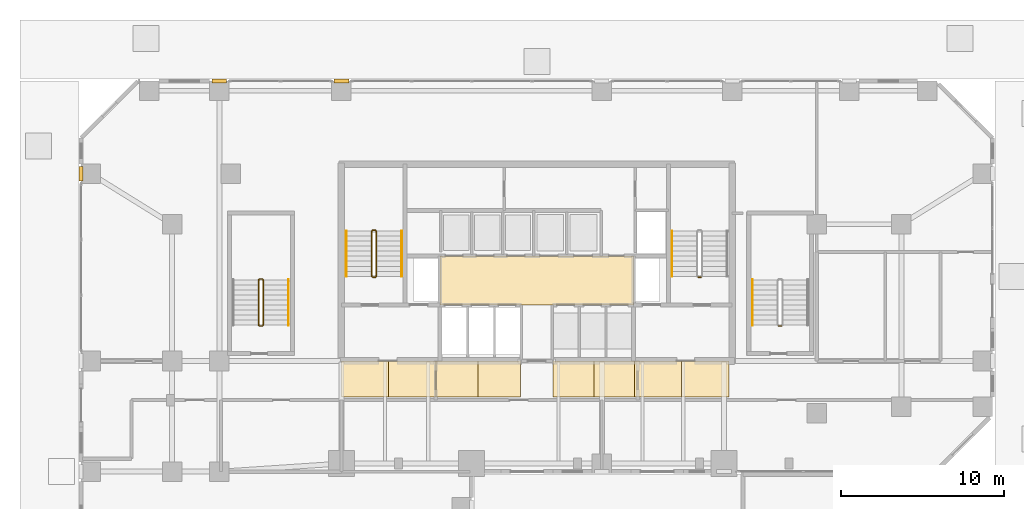
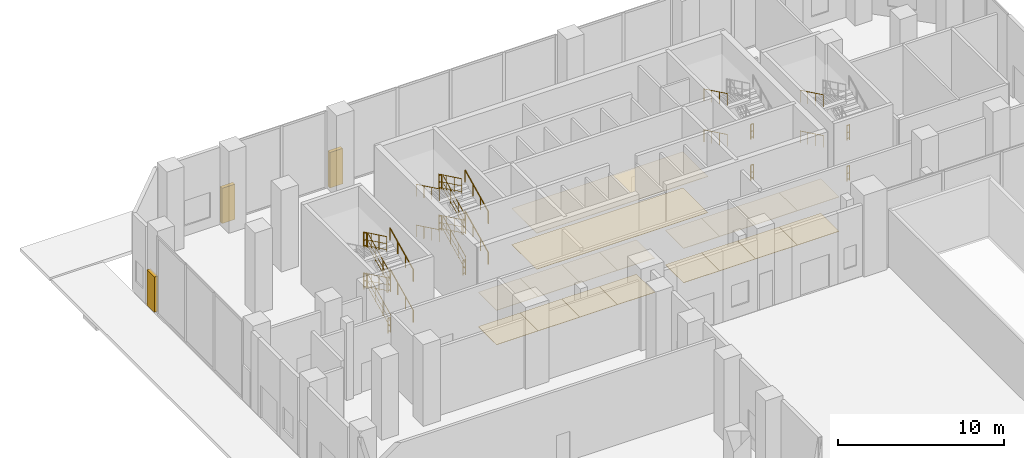
# One storey, part 23 of 26: 30 railings, 21 coverings.
"""IFC4 building model written with IfcOpenShell, lengths in metres."""

from ifc_helpers import new_model, si_unit, direction, frame, origin, origin_2d, place, context, subcontext, project, spatial, polyline, rectangle, circle, outline, extrude, material, layer, layer_set, type_object, element, save


model = new_model("IFC4")

# Units and contexts
model_context = context("Model", 3, precision=1e-05, world=origin(), true_north=direction((0.0, 1.0)))
body_context = subcontext(model_context, "Body", "Model", "MODEL_VIEW")
ifc_project = project(units=[si_unit("LENGTHUNIT", "METRE"), si_unit("AREAUNIT", "SQUARE_METRE"), si_unit("VOLUMEUNIT", "CUBIC_METRE"), si_unit("PLANEANGLEUNIT", "RADIAN"), si_unit("MASSUNIT", "GRAM", prefix="KILO")], contexts=[model_context])

# Site, building, storey
site_placement = place(None, origin())
site = spatial("IfcSite", under=ifc_project, at=site_placement, CompositionType="ELEMENT")
building_placement = place(site_placement, origin())
building = spatial("IfcBuilding", under=site, at=building_placement, Name="Catumbela Crestline Tower", CompositionType="ELEMENT")
storey_placement = place(building_placement, origin())
storey = spatial("IfcBuildingStorey", under=building, at=storey_placement, Name="L00", CompositionType="ELEMENT", Elevation=0.0)

# Coverings
ifc_material_1 = material(Name="Mineral-fibre acoustic ceiling")
ifc_layer_1 = layer(ifc_material_1, 0.03, Name="Mineral-fibre acoustic ceiling")
ifc_layer_set_1 = layer_set([ifc_layer_1], Name="Mineral-fibre acoustic ceiling")
covering_type_1 = type_object("IfcCoveringType", Name="CC-AC", PredefinedType="CEILING", material=ifc_layer_set_1)
covering_1_placement = place(storey_placement, frame((0.0, 0.0, 2.65)))
element("IfcCovering", 1, at=covering_1_placement, inside=storey, type_object=covering_type_1, Name="L00 Lift Lobby Acoustic Ceiling", PredefinedType="CEILING", context=body_context, shape_type="SweptSolid", body=[
    extrude(outline(polyline([(22.05, 34.25), (33.95, 34.25), (33.95, 37.25), (22.05, 37.25), (22.05, 34.25)])), origin(), (0.0, 0.0, 1.0), 0.03),
])
covering_2_placement = place(storey_placement, frame((0.0, 0.0, 2.52)))
element("IfcCovering", 2, at=covering_2_placement, inside=storey, type_object=covering_type_1, Name="L00 Corridor Acoustic Ceiling Bay 1", PredefinedType="CEILING", context=body_context, shape_type="SweptSolid", body=[
    extrude(outline(polyline([(16.0, 28.6), (18.9, 28.6), (18.9, 30.8), (16.0, 30.8), (16.0, 28.6)])), origin(), (0.0, 0.0, 1.0), 0.03),
])
covering_3_placement = place(storey_placement, frame((0.0, 0.0, 2.52)))
element("IfcCovering", 3, at=covering_3_placement, inside=storey, type_object=covering_type_1, Name="L00 Corridor Acoustic Ceiling Bay 2", PredefinedType="CEILING", context=body_context, shape_type="SweptSolid", body=[
    extrude(outline(polyline([(18.9, 28.6), (21.8, 28.6), (21.8, 30.8), (18.9, 30.8), (18.9, 28.6)])), origin(), (0.0, 0.0, 1.0), 0.03),
])
covering_4_placement = place(storey_placement, frame((0.0, 0.0, 2.52)))
element("IfcCovering", 4, at=covering_4_placement, inside=storey, type_object=covering_type_1, Name="L00 Corridor Acoustic Ceiling Bay 3", PredefinedType="CEILING", context=body_context, shape_type="SweptSolid", body=[
    extrude(outline(polyline([(21.8, 28.6), (24.4, 28.6), (24.4, 30.8), (21.8, 30.8), (21.8, 28.6)])), origin(), (0.0, 0.0, 1.0), 0.03),
])
covering_5_placement = place(storey_placement, frame((0.0, 0.0, 2.52)))
element("IfcCovering", 5, at=covering_5_placement, inside=storey, type_object=covering_type_1, Name="L00 Corridor Acoustic Ceiling Bay 4", PredefinedType="CEILING", context=body_context, shape_type="SweptSolid", body=[
    extrude(outline(polyline([(24.4, 28.6), (27.0, 28.6), (27.0, 30.8), (24.4, 30.8), (24.4, 28.6)])), origin(), (0.0, 0.0, 1.0), 0.03),
])
covering_6_placement = place(storey_placement, frame((0.0, 0.0, 2.52)))
element("IfcCovering", 6, at=covering_6_placement, inside=storey, type_object=covering_type_1, Name="L00 Corridor Acoustic Ceiling Bay 5", PredefinedType="CEILING", context=body_context, shape_type="SweptSolid", body=[
    extrude(outline(polyline([(29.0, 28.6), (31.5, 28.6), (31.5, 30.8), (29.0, 30.8), (29.0, 28.6)])), origin(), (0.0, 0.0, 1.0), 0.03),
])
covering_7_placement = place(storey_placement, frame((0.0, 0.0, 2.52)))
element("IfcCovering", 7, at=covering_7_placement, inside=storey, type_object=covering_type_1, Name="L00 Corridor Acoustic Ceiling Bay 6", PredefinedType="CEILING", context=body_context, shape_type="SweptSolid", body=[
    extrude(outline(polyline([(31.5, 28.6), (34.0, 28.6), (34.0, 30.8), (31.5, 30.8), (31.5, 28.6)])), origin(), (0.0, 0.0, 1.0), 0.03),
])
covering_8_placement = place(storey_placement, frame((0.0, 0.0, 2.52)))
element("IfcCovering", 8, at=covering_8_placement, inside=storey, type_object=covering_type_1, Name="L00 Corridor Acoustic Ceiling Bay 7", PredefinedType="CEILING", context=body_context, shape_type="SweptSolid", body=[
    extrude(outline(polyline([(34.0, 28.6), (36.9, 28.6), (36.9, 30.8), (34.0, 30.8), (34.0, 28.6)])), origin(), (0.0, 0.0, 1.0), 0.03),
])
covering_9_placement = place(storey_placement, frame((0.0, 0.0, 2.52)))
element("IfcCovering", 9, at=covering_9_placement, inside=storey, type_object=covering_type_1, Name="L00 Corridor Acoustic Ceiling Bay 8", PredefinedType="CEILING", context=body_context, shape_type="SweptSolid", body=[
    extrude(outline(polyline([(36.9, 28.6), (39.8, 28.6), (39.8, 30.8), (36.9, 30.8), (36.9, 28.6)])), origin(), (0.0, 0.0, 1.0), 0.03),
])
ifc_material_2 = material(Name="Extruded terracotta ceramic", Category="masonry")
ifc_layer_2 = layer(ifc_material_2, 0.08, Name="Extruded terracotta ceramic")
ifc_layer_set_2 = layer_set([ifc_layer_2], Name="Extruded terracotta ceramic")
covering_type_2 = type_object("IfcCoveringType", Name="CC-TER", PredefinedType="CLADDING", material=ifc_layer_set_2)
for number, where, z_axis, x_axis, name in (
    (10, (8.5, 48.0, 0.0), (0.0, 0.0, 1.0), (-1.0, 0.0, 0.0), "L00 Fluted Terracotta Column Cladding 11"),
    (11, (16.0, 48.0, 0.0), (0.0, 0.0, 1.0), (-1.0, 0.0, 0.0), "L00 Fluted Terracotta Column Cladding 12"),
    (12, (0.0, 42.3, 0.0), (0.0, 0.0, 1.0), (0.0, -1.0, 0.0), "L00 Fluted Terracotta Column Cladding 18"),
):
    element("IfcCovering", number, at=place(storey_placement, frame(where, z_axis=z_axis, x_axis=x_axis)), inside=storey, type_object=covering_type_2, Name=name, PredefinedType="CLADDING", context=body_context, shape_type="SweptSolid", body=[
        extrude(rectangle(XDim=0.9, YDim=0.24, at=origin_2d()), origin(), (0.0, 0.0, 1.0), 2.6),
    ])
ifc_material_3 = material(Name="Angolan grey-ochre granite", Category="masonry")
ifc_layer_3 = layer(ifc_material_3, 0.025, Name="Angolan grey-ochre granite")
ifc_layer_set_3 = layer_set([ifc_layer_3], Name="Angolan grey-ochre granite")
covering_type_3 = type_object("IfcCoveringType", Name="CF-GR", PredefinedType="FLOORING", material=ifc_layer_set_3)
covering_10_placement = place(storey_placement, origin())
element("IfcCovering", 13, at=covering_10_placement, inside=storey, type_object=covering_type_3, Name="L00 Corridor Granite Flooring Bay 1", PredefinedType="FLOORING", context=body_context, shape_type="SweptSolid", body=[
    extrude(outline(polyline([(16.0, 28.6), (18.9, 28.6), (18.9, 30.8), (16.0, 30.8), (16.0, 28.6)])), origin(), (0.0, 0.0, 1.0), 0.025),
])
covering_11_placement = place(storey_placement, origin())
element("IfcCovering", 14, at=covering_11_placement, inside=storey, type_object=covering_type_3, Name="L00 Corridor Granite Flooring Bay 2", PredefinedType="FLOORING", context=body_context, shape_type="SweptSolid", body=[
    extrude(outline(polyline([(18.9, 28.6), (21.8, 28.6), (21.8, 30.8), (18.9, 30.8), (18.9, 28.6)])), origin(), (0.0, 0.0, 1.0), 0.025),
])
covering_12_placement = place(storey_placement, origin())
element("IfcCovering", 15, at=covering_12_placement, inside=storey, type_object=covering_type_3, Name="L00 Corridor Granite Flooring Bay 3", PredefinedType="FLOORING", context=body_context, shape_type="SweptSolid", body=[
    extrude(outline(polyline([(21.8, 28.6), (24.4, 28.6), (24.4, 30.8), (21.8, 30.8), (21.8, 28.6)])), origin(), (0.0, 0.0, 1.0), 0.025),
])
covering_13_placement = place(storey_placement, origin())
element("IfcCovering", 16, at=covering_13_placement, inside=storey, type_object=covering_type_3, Name="L00 Corridor Granite Flooring Bay 4", PredefinedType="FLOORING", context=body_context, shape_type="SweptSolid", body=[
    extrude(outline(polyline([(24.4, 28.6), (27.0, 28.6), (27.0, 30.8), (24.4, 30.8), (24.4, 28.6)])), origin(), (0.0, 0.0, 1.0), 0.025),
])
covering_14_placement = place(storey_placement, origin())
element("IfcCovering", 17, at=covering_14_placement, inside=storey, type_object=covering_type_3, Name="L00 Corridor Granite Flooring Bay 5", PredefinedType="FLOORING", context=body_context, shape_type="SweptSolid", body=[
    extrude(outline(polyline([(29.0, 28.6), (31.5, 28.6), (31.5, 30.8), (29.0, 30.8), (29.0, 28.6)])), origin(), (0.0, 0.0, 1.0), 0.025),
])
covering_15_placement = place(storey_placement, origin())
element("IfcCovering", 18, at=covering_15_placement, inside=storey, type_object=covering_type_3, Name="L00 Corridor Granite Flooring Bay 6", PredefinedType="FLOORING", context=body_context, shape_type="SweptSolid", body=[
    extrude(outline(polyline([(31.5, 28.6), (34.0, 28.6), (34.0, 30.8), (31.5, 30.8), (31.5, 28.6)])), origin(), (0.0, 0.0, 1.0), 0.025),
])
covering_16_placement = place(storey_placement, origin())
element("IfcCovering", 19, at=covering_16_placement, inside=storey, type_object=covering_type_3, Name="L00 Corridor Granite Flooring Bay 7", PredefinedType="FLOORING", context=body_context, shape_type="SweptSolid", body=[
    extrude(outline(polyline([(34.0, 28.6), (36.9, 28.6), (36.9, 30.8), (34.0, 30.8), (34.0, 28.6)])), origin(), (0.0, 0.0, 1.0), 0.025),
])
covering_17_placement = place(storey_placement, origin())
element("IfcCovering", 20, at=covering_17_placement, inside=storey, type_object=covering_type_3, Name="L00 Corridor Granite Flooring Bay 8", PredefinedType="FLOORING", context=body_context, shape_type="SweptSolid", body=[
    extrude(outline(polyline([(36.9, 28.6), (39.8, 28.6), (39.8, 30.8), (36.9, 30.8), (36.9, 28.6)])), origin(), (0.0, 0.0, 1.0), 0.025),
])
covering_18_placement = place(storey_placement, origin())
element("IfcCovering", 21, at=covering_18_placement, inside=storey, type_object=covering_type_3, Name="L00 Lift Lobby Granite Flooring", PredefinedType="FLOORING", context=body_context, shape_type="SweptSolid", body=[
    extrude(outline(polyline([(22.05, 34.25), (33.95, 34.25), (33.95, 37.25), (22.05, 37.25), (22.05, 34.25)])), origin(), (0.0, 0.0, 1.0), 0.025),
])

# Railings
ifc_material_4 = material(Name="Stainless steel EN 1.4401", Category="steel")
railing_type_1 = type_object("IfcRailingType", Name="RG-1100", PredefinedType="GUARDRAIL", material=ifc_material_4)
railing_1_placement = place(storey_placement, frame((18.14, 36.0, 0.15)))
element("IfcRailing", 22, at=railing_1_placement, inside=storey, type_object=railing_type_1, Name="L00 ST-01 stair guard 1", PredefinedType="GUARDRAIL", context=body_context, shape_type="SweptSolid", body=[
    extrude(circle(Radius=0.024, at=origin_2d()), frame((0.0, 0.0, 1.076), z_axis=(0.0, 0.900159251416, 0.435560928104), x_axis=(-1.0, 0.0, 0.0)), (0.0, 0.0, 1.0), 3.0995),
    extrude(circle(Radius=0.0156, at=origin_2d()), frame((0.0, 0.0, 0.55), z_axis=(0.0, 0.900159251416, 0.435560928104), x_axis=(-1.0, 0.0, 0.0)), (0.0, 0.0, 1.0), 3.0995),
    extrude(circle(Radius=0.0156, at=origin_2d()), frame((0.0, 0.0, 0.12), z_axis=(0.0, 0.900159251416, 0.435560928104), x_axis=(-1.0, 0.0, 0.0)), (0.0, 0.0, 1.0), 3.0995),
    extrude(circle(Radius=0.021, at=origin_2d()), origin(), (0.0, 0.0, 1.0), 1.052),
    extrude(circle(Radius=0.021, at=origin_2d()), frame((0.0, 0.93, 0.45)), (0.0, 0.0, 1.0), 1.052),
    extrude(circle(Radius=0.021, at=origin_2d()), frame((0.0, 1.86, 0.9)), (0.0, 0.0, 1.0), 1.052),
    extrude(circle(Radius=0.021, at=origin_2d()), frame((0.0, 2.79, 1.35)), (0.0, 0.0, 1.0), 1.052),
])
railing_2_placement = place(storey_placement, frame((18.09, 38.84, 1.5)))
element("IfcRailing", 23, at=railing_2_placement, inside=storey, type_object=railing_type_1, Name="L00 ST-01 stair guard 2", PredefinedType="GUARDRAIL", context=body_context, shape_type="SweptSolid", body=[
    extrude(circle(Radius=0.024, at=origin_2d()), frame((0.0, 0.0, 1.076), z_axis=(-1.0, 0.0, 0.0), x_axis=(0.0, -1.0, 0.0)), (0.0, 0.0, 1.0), 0.18),
    extrude(circle(Radius=0.0156, at=origin_2d()), frame((0.0, 0.0, 0.55), z_axis=(-1.0, 0.0, 0.0), x_axis=(0.0, -1.0, 0.0)), (0.0, 0.0, 1.0), 0.18),
    extrude(circle(Radius=0.0156, at=origin_2d()), frame((0.0, 0.0, 0.12), z_axis=(-1.0, 0.0, 0.0), x_axis=(0.0, -1.0, 0.0)), (0.0, 0.0, 1.0), 0.18),
    extrude(circle(Radius=0.021, at=origin_2d()), origin(), (0.0, 0.0, 1.0), 1.052),
    extrude(circle(Radius=0.021, at=origin_2d()), frame((-0.18, 0.0, 0.0)), (0.0, 0.0, 1.0), 1.052),
])
railing_3_placement = place(storey_placement, frame((17.86, 38.79, 1.65)))
element("IfcRailing", 24, at=railing_3_placement, inside=storey, type_object=railing_type_1, Name="L00 ST-01 stair guard 3", PredefinedType="GUARDRAIL", context=body_context, shape_type="SweptSolid", body=[
    extrude(circle(Radius=0.024, at=origin_2d()), frame((0.0, 0.0, 1.076), z_axis=(0.0, -0.900159251416, 0.435560928104), x_axis=(1.0, 0.0, 0.0)), (0.0, 0.0, 1.0), 3.0995),
    extrude(circle(Radius=0.0156, at=origin_2d()), frame((0.0, 0.0, 0.55), z_axis=(0.0, -0.900159251416, 0.435560928104), x_axis=(1.0, 0.0, 0.0)), (0.0, 0.0, 1.0), 3.0995),
    extrude(circle(Radius=0.0156, at=origin_2d()), frame((0.0, 0.0, 0.12), z_axis=(0.0, -0.900159251416, 0.435560928104), x_axis=(1.0, 0.0, 0.0)), (0.0, 0.0, 1.0), 3.0995),
    extrude(circle(Radius=0.021, at=origin_2d()), origin(), (0.0, 0.0, 1.0), 1.052),
    extrude(circle(Radius=0.021, at=origin_2d()), frame((0.0, -0.93, 0.45)), (0.0, 0.0, 1.0), 1.052),
    extrude(circle(Radius=0.021, at=origin_2d()), frame((0.0, -1.86, 0.9)), (0.0, 0.0, 1.0), 1.052),
    extrude(circle(Radius=0.021, at=origin_2d()), frame((0.0, -2.79, 1.35)), (0.0, 0.0, 1.0), 1.052),
])
railing_4_placement = place(storey_placement, frame((18.09, 35.95, 3.0)))
element("IfcRailing", 25, at=railing_4_placement, inside=storey, type_object=railing_type_1, Name="L00 ST-01 stair guard 4", PredefinedType="GUARDRAIL", context=body_context, shape_type="SweptSolid", body=[
    extrude(circle(Radius=0.024, at=origin_2d()), frame((0.0, 0.0, 1.076), z_axis=(-1.0, 0.0, 0.0), x_axis=(0.0, -1.0, 0.0)), (0.0, 0.0, 1.0), 0.18),
    extrude(circle(Radius=0.0156, at=origin_2d()), frame((0.0, 0.0, 0.55), z_axis=(-1.0, 0.0, 0.0), x_axis=(0.0, -1.0, 0.0)), (0.0, 0.0, 1.0), 0.18),
    extrude(circle(Radius=0.0156, at=origin_2d()), frame((0.0, 0.0, 0.12), z_axis=(-1.0, 0.0, 0.0), x_axis=(0.0, -1.0, 0.0)), (0.0, 0.0, 1.0), 0.18),
    extrude(circle(Radius=0.021, at=origin_2d()), origin(), (0.0, 0.0, 1.0), 1.052),
    extrude(circle(Radius=0.021, at=origin_2d()), frame((-0.18, 0.0, 0.0)), (0.0, 0.0, 1.0), 1.052),
])
railing_5_placement = place(storey_placement, frame((18.14, 36.0, 3.15)))
element("IfcRailing", 26, at=railing_5_placement, inside=storey, type_object=railing_type_1, Name="L00 ST-01 stair guard 5", PredefinedType="GUARDRAIL", context=body_context, shape_type="SweptSolid", body=[
    extrude(circle(Radius=0.024, at=origin_2d()), frame((0.0, 0.0, 1.076), z_axis=(0.0, 0.900159251416, 0.435560928104), x_axis=(-1.0, 0.0, 0.0)), (0.0, 0.0, 1.0), 3.0995),
    extrude(circle(Radius=0.0156, at=origin_2d()), frame((0.0, 0.0, 0.55), z_axis=(0.0, 0.900159251416, 0.435560928104), x_axis=(-1.0, 0.0, 0.0)), (0.0, 0.0, 1.0), 3.0995),
    extrude(circle(Radius=0.0156, at=origin_2d()), frame((0.0, 0.0, 0.12), z_axis=(0.0, 0.900159251416, 0.435560928104), x_axis=(-1.0, 0.0, 0.0)), (0.0, 0.0, 1.0), 3.0995),
    extrude(circle(Radius=0.021, at=origin_2d()), origin(), (0.0, 0.0, 1.0), 1.052),
    extrude(circle(Radius=0.021, at=origin_2d()), frame((0.0, 0.93, 0.45)), (0.0, 0.0, 1.0), 1.052),
    extrude(circle(Radius=0.021, at=origin_2d()), frame((0.0, 1.86, 0.9)), (0.0, 0.0, 1.0), 1.052),
    extrude(circle(Radius=0.021, at=origin_2d()), frame((0.0, 2.79, 1.35)), (0.0, 0.0, 1.0), 1.052),
])
railing_6_placement = place(storey_placement, frame((18.09, 38.84, 4.5)))
element("IfcRailing", 27, at=railing_6_placement, inside=storey, type_object=railing_type_1, Name="L00 ST-01 stair guard 6", PredefinedType="GUARDRAIL", context=body_context, shape_type="SweptSolid", body=[
    extrude(circle(Radius=0.024, at=origin_2d()), frame((0.0, 0.0, 1.076), z_axis=(-1.0, 0.0, 0.0), x_axis=(0.0, -1.0, 0.0)), (0.0, 0.0, 1.0), 0.18),
    extrude(circle(Radius=0.0156, at=origin_2d()), frame((0.0, 0.0, 0.55), z_axis=(-1.0, 0.0, 0.0), x_axis=(0.0, -1.0, 0.0)), (0.0, 0.0, 1.0), 0.18),
    extrude(circle(Radius=0.0156, at=origin_2d()), frame((0.0, 0.0, 0.12), z_axis=(-1.0, 0.0, 0.0), x_axis=(0.0, -1.0, 0.0)), (0.0, 0.0, 1.0), 0.18),
    extrude(circle(Radius=0.021, at=origin_2d()), origin(), (0.0, 0.0, 1.0), 1.052),
    extrude(circle(Radius=0.021, at=origin_2d()), frame((-0.18, 0.0, 0.0)), (0.0, 0.0, 1.0), 1.052),
])
railing_7_placement = place(storey_placement, frame((17.86, 38.79, 4.65)))
element("IfcRailing", 28, at=railing_7_placement, inside=storey, type_object=railing_type_1, Name="L00 ST-01 stair guard 7", PredefinedType="GUARDRAIL", context=body_context, shape_type="SweptSolid", body=[
    extrude(circle(Radius=0.024, at=origin_2d()), frame((0.0, 0.0, 1.076), z_axis=(0.0, -0.900159251416, 0.435560928104), x_axis=(1.0, 0.0, 0.0)), (0.0, 0.0, 1.0), 3.0995),
    extrude(circle(Radius=0.0156, at=origin_2d()), frame((0.0, 0.0, 0.55), z_axis=(0.0, -0.900159251416, 0.435560928104), x_axis=(1.0, 0.0, 0.0)), (0.0, 0.0, 1.0), 3.0995),
    extrude(circle(Radius=0.0156, at=origin_2d()), frame((0.0, 0.0, 0.12), z_axis=(0.0, -0.900159251416, 0.435560928104), x_axis=(1.0, 0.0, 0.0)), (0.0, 0.0, 1.0), 3.0995),
    extrude(circle(Radius=0.021, at=origin_2d()), origin(), (0.0, 0.0, 1.0), 1.052),
    extrude(circle(Radius=0.021, at=origin_2d()), frame((0.0, -0.93, 0.45)), (0.0, 0.0, 1.0), 1.052),
    extrude(circle(Radius=0.021, at=origin_2d()), frame((0.0, -1.86, 0.9)), (0.0, 0.0, 1.0), 1.052),
    extrude(circle(Radius=0.021, at=origin_2d()), frame((0.0, -2.79, 1.35)), (0.0, 0.0, 1.0), 1.052),
])
for number, where, name in (
    (29, (18.09, 35.95, 0.0), "L00 ST-01 stair guard 8"),
    (30, (38.09, 35.95, 3.0), "L00 ST-02 stair guard 4"),
    (31, (38.09, 35.95, 0.0), "L00 ST-02 stair guard 8"),
):
    element("IfcRailing", number, at=place(storey_placement, frame(where)), inside=storey, type_object=railing_type_1, Name=name, PredefinedType="GUARDRAIL", context=body_context, shape_type="SweptSolid", body=[
        extrude(circle(Radius=0.024, at=origin_2d()), frame((0.0, 0.0, 1.076), z_axis=(-1.0, 0.0, 0.0), x_axis=(0.0, -1.0, 0.0)), (0.0, 0.0, 1.0), 0.18),
        extrude(circle(Radius=0.0156, at=origin_2d()), frame((0.0, 0.0, 0.55), z_axis=(-1.0, 0.0, 0.0), x_axis=(0.0, -1.0, 0.0)), (0.0, 0.0, 1.0), 0.18),
        extrude(circle(Radius=0.0156, at=origin_2d()), frame((0.0, 0.0, 0.12), z_axis=(-1.0, 0.0, 0.0), x_axis=(0.0, -1.0, 0.0)), (0.0, 0.0, 1.0), 0.18),
        extrude(circle(Radius=0.021, at=origin_2d()), origin(), (0.0, 0.0, 1.0), 1.052),
        extrude(circle(Radius=0.021, at=origin_2d()), frame((-0.18, 0.0, 0.0)), (0.0, 0.0, 1.0), 1.052),
    ])
railing_8_placement = place(storey_placement, frame((11.19, 33.0, 0.15)))
element("IfcRailing", 32, at=railing_8_placement, inside=storey, type_object=railing_type_1, Name="L00 ST-03 stair guard 1", PredefinedType="GUARDRAIL", context=body_context, shape_type="SweptSolid", body=[
    extrude(circle(Radius=0.024, at=origin_2d()), frame((0.0, 0.0, 1.076), z_axis=(0.0, 0.900159251416, 0.435560928104), x_axis=(-1.0, 0.0, 0.0)), (0.0, 0.0, 1.0), 3.0995),
    extrude(circle(Radius=0.0156, at=origin_2d()), frame((0.0, 0.0, 0.55), z_axis=(0.0, 0.900159251416, 0.435560928104), x_axis=(-1.0, 0.0, 0.0)), (0.0, 0.0, 1.0), 3.0995),
    extrude(circle(Radius=0.0156, at=origin_2d()), frame((0.0, 0.0, 0.12), z_axis=(0.0, 0.900159251416, 0.435560928104), x_axis=(-1.0, 0.0, 0.0)), (0.0, 0.0, 1.0), 3.0995),
    extrude(circle(Radius=0.021, at=origin_2d()), origin(), (0.0, 0.0, 1.0), 1.052),
    extrude(circle(Radius=0.021, at=origin_2d()), frame((0.0, 0.93, 0.45)), (0.0, 0.0, 1.0), 1.052),
    extrude(circle(Radius=0.021, at=origin_2d()), frame((0.0, 1.86, 0.9)), (0.0, 0.0, 1.0), 1.052),
    extrude(circle(Radius=0.021, at=origin_2d()), frame((0.0, 2.79, 1.35)), (0.0, 0.0, 1.0), 1.052),
])
railing_9_placement = place(storey_placement, frame((11.14, 35.84, 1.5)))
element("IfcRailing", 33, at=railing_9_placement, inside=storey, type_object=railing_type_1, Name="L00 ST-03 stair guard 2", PredefinedType="GUARDRAIL", context=body_context, shape_type="SweptSolid", body=[
    extrude(circle(Radius=0.024, at=origin_2d()), frame((0.0, 0.0, 1.076), z_axis=(-1.0, 0.0, 0.0), x_axis=(0.0, -1.0, 0.0)), (0.0, 0.0, 1.0), 0.18),
    extrude(circle(Radius=0.0156, at=origin_2d()), frame((0.0, 0.0, 0.55), z_axis=(-1.0, 0.0, 0.0), x_axis=(0.0, -1.0, 0.0)), (0.0, 0.0, 1.0), 0.18),
    extrude(circle(Radius=0.0156, at=origin_2d()), frame((0.0, 0.0, 0.12), z_axis=(-1.0, 0.0, 0.0), x_axis=(0.0, -1.0, 0.0)), (0.0, 0.0, 1.0), 0.18),
    extrude(circle(Radius=0.021, at=origin_2d()), origin(), (0.0, 0.0, 1.0), 1.052),
    extrude(circle(Radius=0.021, at=origin_2d()), frame((-0.18, 0.0, 0.0)), (0.0, 0.0, 1.0), 1.052),
])
railing_10_placement = place(storey_placement, frame((10.91, 35.79, 1.65)))
element("IfcRailing", 34, at=railing_10_placement, inside=storey, type_object=railing_type_1, Name="L00 ST-03 stair guard 3", PredefinedType="GUARDRAIL", context=body_context, shape_type="SweptSolid", body=[
    extrude(circle(Radius=0.024, at=origin_2d()), frame((0.0, 0.0, 1.076), z_axis=(0.0, -0.900159251416, 0.435560928104), x_axis=(1.0, 0.0, 0.0)), (0.0, 0.0, 1.0), 3.0995),
    extrude(circle(Radius=0.0156, at=origin_2d()), frame((0.0, 0.0, 0.55), z_axis=(0.0, -0.900159251416, 0.435560928104), x_axis=(1.0, 0.0, 0.0)), (0.0, 0.0, 1.0), 3.0995),
    extrude(circle(Radius=0.0156, at=origin_2d()), frame((0.0, 0.0, 0.12), z_axis=(0.0, -0.900159251416, 0.435560928104), x_axis=(1.0, 0.0, 0.0)), (0.0, 0.0, 1.0), 3.0995),
    extrude(circle(Radius=0.021, at=origin_2d()), origin(), (0.0, 0.0, 1.0), 1.052),
    extrude(circle(Radius=0.021, at=origin_2d()), frame((0.0, -0.93, 0.45)), (0.0, 0.0, 1.0), 1.052),
    extrude(circle(Radius=0.021, at=origin_2d()), frame((0.0, -1.86, 0.9)), (0.0, 0.0, 1.0), 1.052),
    extrude(circle(Radius=0.021, at=origin_2d()), frame((0.0, -2.79, 1.35)), (0.0, 0.0, 1.0), 1.052),
])
railing_11_placement = place(storey_placement, frame((11.14, 32.95, 3.0)))
element("IfcRailing", 35, at=railing_11_placement, inside=storey, type_object=railing_type_1, Name="L00 ST-03 stair guard 4", PredefinedType="GUARDRAIL", context=body_context, shape_type="SweptSolid", body=[
    extrude(circle(Radius=0.024, at=origin_2d()), frame((0.0, 0.0, 1.076), z_axis=(-1.0, 0.0, 0.0), x_axis=(0.0, -1.0, 0.0)), (0.0, 0.0, 1.0), 0.18),
    extrude(circle(Radius=0.0156, at=origin_2d()), frame((0.0, 0.0, 0.55), z_axis=(-1.0, 0.0, 0.0), x_axis=(0.0, -1.0, 0.0)), (0.0, 0.0, 1.0), 0.18),
    extrude(circle(Radius=0.0156, at=origin_2d()), frame((0.0, 0.0, 0.12), z_axis=(-1.0, 0.0, 0.0), x_axis=(0.0, -1.0, 0.0)), (0.0, 0.0, 1.0), 0.18),
    extrude(circle(Radius=0.021, at=origin_2d()), origin(), (0.0, 0.0, 1.0), 1.052),
    extrude(circle(Radius=0.021, at=origin_2d()), frame((-0.18, 0.0, 0.0)), (0.0, 0.0, 1.0), 1.052),
])
railing_12_placement = place(storey_placement, frame((11.19, 33.0, 3.15)))
element("IfcRailing", 36, at=railing_12_placement, inside=storey, type_object=railing_type_1, Name="L00 ST-03 stair guard 5", PredefinedType="GUARDRAIL", context=body_context, shape_type="SweptSolid", body=[
    extrude(circle(Radius=0.024, at=origin_2d()), frame((0.0, 0.0, 1.076), z_axis=(0.0, 0.900159251416, 0.435560928104), x_axis=(-1.0, 0.0, 0.0)), (0.0, 0.0, 1.0), 3.0995),
    extrude(circle(Radius=0.0156, at=origin_2d()), frame((0.0, 0.0, 0.55), z_axis=(0.0, 0.900159251416, 0.435560928104), x_axis=(-1.0, 0.0, 0.0)), (0.0, 0.0, 1.0), 3.0995),
    extrude(circle(Radius=0.0156, at=origin_2d()), frame((0.0, 0.0, 0.12), z_axis=(0.0, 0.900159251416, 0.435560928104), x_axis=(-1.0, 0.0, 0.0)), (0.0, 0.0, 1.0), 3.0995),
    extrude(circle(Radius=0.021, at=origin_2d()), origin(), (0.0, 0.0, 1.0), 1.052),
    extrude(circle(Radius=0.021, at=origin_2d()), frame((0.0, 0.93, 0.45)), (0.0, 0.0, 1.0), 1.052),
    extrude(circle(Radius=0.021, at=origin_2d()), frame((0.0, 1.86, 0.9)), (0.0, 0.0, 1.0), 1.052),
    extrude(circle(Radius=0.021, at=origin_2d()), frame((0.0, 2.79, 1.35)), (0.0, 0.0, 1.0), 1.052),
])
railing_13_placement = place(storey_placement, frame((11.14, 35.84, 4.5)))
element("IfcRailing", 37, at=railing_13_placement, inside=storey, type_object=railing_type_1, Name="L00 ST-03 stair guard 6", PredefinedType="GUARDRAIL", context=body_context, shape_type="SweptSolid", body=[
    extrude(circle(Radius=0.024, at=origin_2d()), frame((0.0, 0.0, 1.076), z_axis=(-1.0, 0.0, 0.0), x_axis=(0.0, -1.0, 0.0)), (0.0, 0.0, 1.0), 0.18),
    extrude(circle(Radius=0.0156, at=origin_2d()), frame((0.0, 0.0, 0.55), z_axis=(-1.0, 0.0, 0.0), x_axis=(0.0, -1.0, 0.0)), (0.0, 0.0, 1.0), 0.18),
    extrude(circle(Radius=0.0156, at=origin_2d()), frame((0.0, 0.0, 0.12), z_axis=(-1.0, 0.0, 0.0), x_axis=(0.0, -1.0, 0.0)), (0.0, 0.0, 1.0), 0.18),
    extrude(circle(Radius=0.021, at=origin_2d()), origin(), (0.0, 0.0, 1.0), 1.052),
    extrude(circle(Radius=0.021, at=origin_2d()), frame((-0.18, 0.0, 0.0)), (0.0, 0.0, 1.0), 1.052),
])
railing_14_placement = place(storey_placement, frame((10.91, 35.79, 4.65)))
element("IfcRailing", 38, at=railing_14_placement, inside=storey, type_object=railing_type_1, Name="L00 ST-03 stair guard 7", PredefinedType="GUARDRAIL", context=body_context, shape_type="SweptSolid", body=[
    extrude(circle(Radius=0.024, at=origin_2d()), frame((0.0, 0.0, 1.076), z_axis=(0.0, -0.900159251416, 0.435560928104), x_axis=(1.0, 0.0, 0.0)), (0.0, 0.0, 1.0), 3.0995),
    extrude(circle(Radius=0.0156, at=origin_2d()), frame((0.0, 0.0, 0.55), z_axis=(0.0, -0.900159251416, 0.435560928104), x_axis=(1.0, 0.0, 0.0)), (0.0, 0.0, 1.0), 3.0995),
    extrude(circle(Radius=0.0156, at=origin_2d()), frame((0.0, 0.0, 0.12), z_axis=(0.0, -0.900159251416, 0.435560928104), x_axis=(1.0, 0.0, 0.0)), (0.0, 0.0, 1.0), 3.0995),
    extrude(circle(Radius=0.021, at=origin_2d()), origin(), (0.0, 0.0, 1.0), 1.052),
    extrude(circle(Radius=0.021, at=origin_2d()), frame((0.0, -0.93, 0.45)), (0.0, 0.0, 1.0), 1.052),
    extrude(circle(Radius=0.021, at=origin_2d()), frame((0.0, -1.86, 0.9)), (0.0, 0.0, 1.0), 1.052),
    extrude(circle(Radius=0.021, at=origin_2d()), frame((0.0, -2.79, 1.35)), (0.0, 0.0, 1.0), 1.052),
])
for number, where, name in (
    (39, (11.14, 32.95, 0.0), "L00 ST-03 stair guard 8"),
    (40, (43.04, 32.95, 3.0), "L00 ST-04 stair guard 4"),
    (41, (43.04, 32.95, 0.0), "L00 ST-04 stair guard 8"),
):
    element("IfcRailing", number, at=place(storey_placement, frame(where)), inside=storey, type_object=railing_type_1, Name=name, PredefinedType="GUARDRAIL", context=body_context, shape_type="SweptSolid", body=[
        extrude(circle(Radius=0.024, at=origin_2d()), frame((0.0, 0.0, 1.076), z_axis=(-1.0, 0.0, 0.0), x_axis=(0.0, -1.0, 0.0)), (0.0, 0.0, 1.0), 0.18),
        extrude(circle(Radius=0.0156, at=origin_2d()), frame((0.0, 0.0, 0.55), z_axis=(-1.0, 0.0, 0.0), x_axis=(0.0, -1.0, 0.0)), (0.0, 0.0, 1.0), 0.18),
        extrude(circle(Radius=0.0156, at=origin_2d()), frame((0.0, 0.0, 0.12), z_axis=(-1.0, 0.0, 0.0), x_axis=(0.0, -1.0, 0.0)), (0.0, 0.0, 1.0), 0.18),
        extrude(circle(Radius=0.021, at=origin_2d()), origin(), (0.0, 0.0, 1.0), 1.052),
        extrude(circle(Radius=0.021, at=origin_2d()), frame((-0.18, 0.0, 0.0)), (0.0, 0.0, 1.0), 1.052),
    ])
railing_type_2 = type_object("IfcRailingType", Name="RH-0900", PredefinedType="HANDRAIL", material=ifc_material_4)
railing_15_placement = place(storey_placement, frame((19.7, 36.0, 0.15)))
element("IfcRailing", 42, at=railing_15_placement, inside=storey, type_object=railing_type_2, Name="L00 ST-01 stair handrail 1", PredefinedType="HANDRAIL", context=body_context, shape_type="SweptSolid", body=[
    extrude(circle(Radius=0.024, at=origin_2d()), frame((0.0, 0.0, 0.876), z_axis=(0.0, 0.900159251416, 0.435560928104), x_axis=(-1.0, 0.0, 0.0)), (0.0, 0.0, 1.0), 3.0995),
    extrude(circle(Radius=0.021, at=origin_2d()), origin(), (0.0, 0.0, 1.0), 0.852),
    extrude(circle(Radius=0.021, at=origin_2d()), frame((0.0, 0.93, 0.45)), (0.0, 0.0, 1.0), 0.852),
    extrude(circle(Radius=0.021, at=origin_2d()), frame((0.0, 1.86, 0.9)), (0.0, 0.0, 1.0), 0.852),
    extrude(circle(Radius=0.021, at=origin_2d()), frame((0.0, 2.79, 1.35)), (0.0, 0.0, 1.0), 0.852),
])
railing_16_placement = place(storey_placement, frame((16.3, 38.79, 1.65)))
element("IfcRailing", 43, at=railing_16_placement, inside=storey, type_object=railing_type_2, Name="L00 ST-01 stair handrail 2", PredefinedType="HANDRAIL", context=body_context, shape_type="SweptSolid", body=[
    extrude(circle(Radius=0.024, at=origin_2d()), frame((0.0, 0.0, 0.876), z_axis=(0.0, -0.900159251416, 0.435560928104), x_axis=(1.0, 0.0, 0.0)), (0.0, 0.0, 1.0), 3.0995),
    extrude(circle(Radius=0.021, at=origin_2d()), origin(), (0.0, 0.0, 1.0), 0.852),
    extrude(circle(Radius=0.021, at=origin_2d()), frame((0.0, -0.93, 0.45)), (0.0, 0.0, 1.0), 0.852),
    extrude(circle(Radius=0.021, at=origin_2d()), frame((0.0, -1.86, 0.9)), (0.0, 0.0, 1.0), 0.852),
    extrude(circle(Radius=0.021, at=origin_2d()), frame((0.0, -2.79, 1.35)), (0.0, 0.0, 1.0), 0.852),
])
railing_17_placement = place(storey_placement, frame((19.7, 36.0, 3.15)))
element("IfcRailing", 44, at=railing_17_placement, inside=storey, type_object=railing_type_2, Name="L00 ST-01 stair handrail 3", PredefinedType="HANDRAIL", context=body_context, shape_type="SweptSolid", body=[
    extrude(circle(Radius=0.024, at=origin_2d()), frame((0.0, 0.0, 0.876), z_axis=(0.0, 0.900159251416, 0.435560928104), x_axis=(-1.0, 0.0, 0.0)), (0.0, 0.0, 1.0), 3.0995),
    extrude(circle(Radius=0.021, at=origin_2d()), origin(), (0.0, 0.0, 1.0), 0.852),
    extrude(circle(Radius=0.021, at=origin_2d()), frame((0.0, 0.93, 0.45)), (0.0, 0.0, 1.0), 0.852),
    extrude(circle(Radius=0.021, at=origin_2d()), frame((0.0, 1.86, 0.9)), (0.0, 0.0, 1.0), 0.852),
    extrude(circle(Radius=0.021, at=origin_2d()), frame((0.0, 2.79, 1.35)), (0.0, 0.0, 1.0), 0.852),
])
for number, where, name in (
    (45, (16.3, 38.79, 4.65), "L00 ST-01 stair handrail 4"),
    (46, (36.3, 38.79, 1.65), "L00 ST-02 stair handrail 2"),
    (47, (36.3, 38.79, 4.65), "L00 ST-02 stair handrail 4"),
):
    element("IfcRailing", number, at=place(storey_placement, frame(where)), inside=storey, type_object=railing_type_2, Name=name, PredefinedType="HANDRAIL", context=body_context, shape_type="SweptSolid", body=[
        extrude(circle(Radius=0.024, at=origin_2d()), frame((0.0, 0.0, 0.876), z_axis=(0.0, -0.900159251416, 0.435560928104), x_axis=(1.0, 0.0, 0.0)), (0.0, 0.0, 1.0), 3.0995),
        extrude(circle(Radius=0.021, at=origin_2d()), origin(), (0.0, 0.0, 1.0), 0.852),
        extrude(circle(Radius=0.021, at=origin_2d()), frame((0.0, -0.93, 0.45)), (0.0, 0.0, 1.0), 0.852),
        extrude(circle(Radius=0.021, at=origin_2d()), frame((0.0, -1.86, 0.9)), (0.0, 0.0, 1.0), 0.852),
        extrude(circle(Radius=0.021, at=origin_2d()), frame((0.0, -2.79, 1.35)), (0.0, 0.0, 1.0), 0.852),
    ])
for number, where, name in (
    (48, (12.75, 33.0, 0.15), "L00 ST-03 stair handrail 1"),
    (49, (12.75, 33.0, 3.15), "L00 ST-03 stair handrail 3"),
):
    element("IfcRailing", number, at=place(storey_placement, frame(where)), inside=storey, type_object=railing_type_2, Name=name, PredefinedType="HANDRAIL", context=body_context, shape_type="SweptSolid", body=[
        extrude(circle(Radius=0.024, at=origin_2d()), frame((0.0, 0.0, 0.876), z_axis=(0.0, 0.900159251416, 0.435560928104), x_axis=(-1.0, 0.0, 0.0)), (0.0, 0.0, 1.0), 3.0995),
        extrude(circle(Radius=0.021, at=origin_2d()), origin(), (0.0, 0.0, 1.0), 0.852),
        extrude(circle(Radius=0.021, at=origin_2d()), frame((0.0, 0.93, 0.45)), (0.0, 0.0, 1.0), 0.852),
        extrude(circle(Radius=0.021, at=origin_2d()), frame((0.0, 1.86, 0.9)), (0.0, 0.0, 1.0), 0.852),
        extrude(circle(Radius=0.021, at=origin_2d()), frame((0.0, 2.79, 1.35)), (0.0, 0.0, 1.0), 0.852),
    ])
for number, where, name in (
    (50, (41.25, 35.79, 1.65), "L00 ST-04 stair handrail 2"),
    (51, (41.25, 35.79, 4.65), "L00 ST-04 stair handrail 4"),
):
    element("IfcRailing", number, at=place(storey_placement, frame(where)), inside=storey, type_object=railing_type_2, Name=name, PredefinedType="HANDRAIL", context=body_context, shape_type="SweptSolid", body=[
        extrude(circle(Radius=0.024, at=origin_2d()), frame((0.0, 0.0, 0.876), z_axis=(0.0, -0.900159251416, 0.435560928104), x_axis=(1.0, 0.0, 0.0)), (0.0, 0.0, 1.0), 3.0995),
        extrude(circle(Radius=0.021, at=origin_2d()), origin(), (0.0, 0.0, 1.0), 0.852),
        extrude(circle(Radius=0.021, at=origin_2d()), frame((0.0, -0.93, 0.45)), (0.0, 0.0, 1.0), 0.852),
        extrude(circle(Radius=0.021, at=origin_2d()), frame((0.0, -1.86, 0.9)), (0.0, 0.0, 1.0), 0.852),
        extrude(circle(Radius=0.021, at=origin_2d()), frame((0.0, -2.79, 1.35)), (0.0, 0.0, 1.0), 0.852),
    ])

save(model, "model.ifc")
